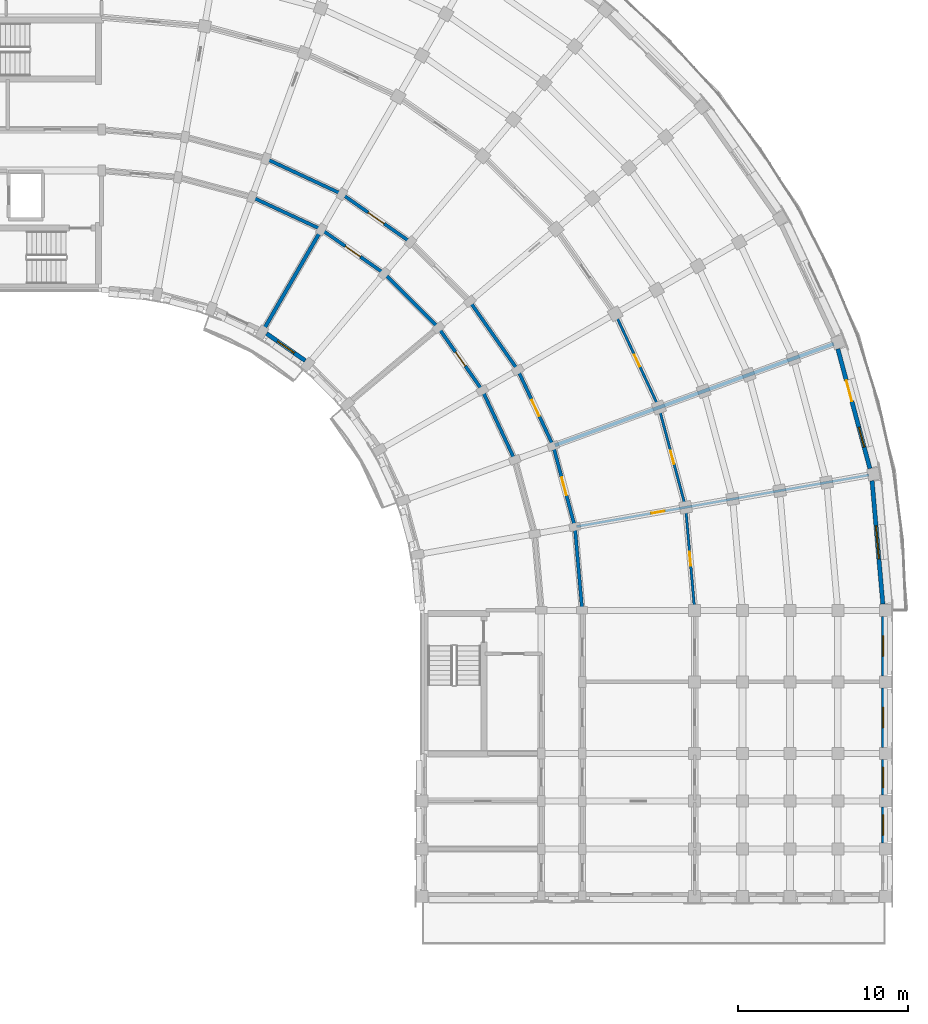
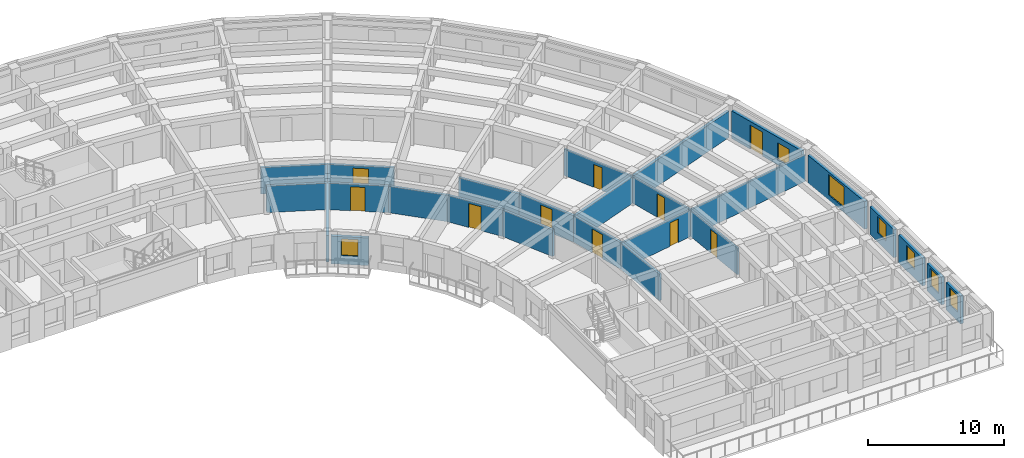
# One storey, part 35 of 54: 24 walls, 10 doors, 7 windows, 17 openings.
"""IFC4 building model written with IfcOpenShell, lengths in metres."""

from ifc_helpers import new_model, si_unit, direction, frame, frame_2d, origin, place, context, subcontext, project, spatial, rectangle, extrude, material, layer, layer_set, type_object, element, fill, save


model = new_model("IFC4")

# Units and contexts
model_context = context("Model", 3, precision=1e-05, world=origin(), true_north=direction((0.0, 1.0)))
body_context = subcontext(model_context, "Body", "Model", "MODEL_VIEW")
ifc_project = project(units=[si_unit("LENGTHUNIT", "METRE"), si_unit("AREAUNIT", "SQUARE_METRE"), si_unit("VOLUMEUNIT", "CUBIC_METRE"), si_unit("PLANEANGLEUNIT", "RADIAN"), si_unit("MASSUNIT", "GRAM", prefix="KILO")], contexts=[model_context])

# Site, building, storey
site_placement = place(None, origin())
site = spatial("IfcSite", under=ifc_project, at=site_placement, CompositionType="ELEMENT")
building_placement = place(site_placement, origin())
building = spatial("IfcBuilding", under=site, at=building_placement, Name="Kiranvali Square Residences", CompositionType="ELEMENT")
storey_placement = place(building_placement, frame((0.0, 0.0, 27.60009765625)))
storey = spatial("IfcBuildingStorey", under=building, at=storey_placement, Name="L08", CompositionType="ELEMENT", Elevation=27.60009765625)

# Walls
ifc_material_1 = material(Name="Autoclaved aerated concrete blockwork masonry", Category="masonry")
ifc_layer_1 = layer(ifc_material_1, 0.199951171875)
ifc_layer_set_1 = layer_set([ifc_layer_1], Name="Autoclaved aerated concrete blockwork masonry")
wall_type_1 = type_object("IfcWallType", Name="WL-COR-200", PredefinedType="STANDARD", material=ifc_layer_set_1)
wall_1_placement = place(storey_placement, frame((128.6240234375, 112.044189453125, 0.0), z_axis=(0.0, 0.0, 1.0), x_axis=(0.906307919131, -0.422617978463, 0.0)))
element("IfcWall", 1, at=wall_1_placement, inside=storey, type_object=wall_type_1, Name="L08 architectural wall WL-L08-B-CCI-2", PredefinedType="STANDARD", context=body_context, shape_type="SweptSolid", body=[
    extrude(rectangle(XDim=4.497314453125, YDim=0.199951171875, at=frame_2d((2.24853515625, 0.0))), origin(), (0.0, 0.0, 1.0), 2.371826171875),
])
wall_2_placement = place(storey_placement, frame((129.445068359375, 114.29931640625, 0.0), z_axis=(0.0, 0.0, 1.0), x_axis=(0.906302381024, -0.422629854778, 0.0)))
element("IfcWall", 2, at=wall_2_placement, inside=storey, type_object=wall_type_1, Name="L08 architectural wall WL-L08-B-CCO-2", PredefinedType="STANDARD", context=body_context, shape_type="SweptSolid", body=[
    extrude(rectangle(XDim=4.915283203125, YDim=0.199951171875, at=frame_2d((2.45751953125, 0.0))), origin(), (0.0, 0.0, 1.0), 2.371826171875),
])

# Wall, opening, door
wall_3_placement = place(storey_placement, frame((132.699951171875, 110.1435546875, 0.0), z_axis=(0.0, 0.0, 1.0), x_axis=(0.819155404658, -0.573571637217, 0.0)))
wall_3 = element("IfcWall", 3, at=wall_3_placement, inside=storey, type_object=wall_type_1, Name="L08 architectural wall WL-L08-B-CCI-3", PredefinedType="STANDARD", context=body_context, shape_type="SweptSolid", body=[
    extrude(rectangle(XDim=4.497314453125, YDim=0.199951171875, at=frame_2d((2.24853515625, 0.0))), origin(), (0.0, 0.0, 1.0), 2.371826171875),
])
opening_1_placement = place(wall_3_placement, frame((1.708740234375, 0.0, 0.0)))
opening_1 = element("IfcOpeningElement", 4, at=opening_1_placement, cuts=wall_3, Name="Opening FD-APT-60C", PredefinedType="OPENING", context=body_context, shape_type="SweptSolid", body=[
    extrude(rectangle(XDim=1.080078125, YDim=2.14990234375, at=frame_2d((0.5400390625, 1.074951171875))), frame((0.0, 0.10986328125, 0.0), z_axis=(0.0, -1.0, 0.0), x_axis=(1.0, 0.0, 0.0)), (0.0, 0.0, 1.0), 0.219970703125),
])
ifc_material_2 = material(Name="Fire-rated acoustic hardwood and mineral-core door assembly", Category="wood")
door_type_1 = type_object("IfcDoorType", Name="DR-APT-1080", OperationType="NOTDEFINED", PredefinedType="DOOR", material=ifc_material_2)
door_1_placement = place(opening_1_placement, frame((1.080078125, 0.0, 0.0), z_axis=(0.0, 0.0, 1.0), x_axis=(-1.0, 0.0, 0.0)))
door_1 = element("IfcDoor", 5, at=door_1_placement, inside=storey, type_object=door_type_1, Name="L08 door DR-L08-1498 (DR-APT-1080)", OperationType="SINGLE_SWING_RIGHT", OverallHeight=2.14990234375, OverallWidth=1.080078125, PredefinedType="DOOR", context=body_context, shape_type="SweptSolid", body=[
    extrude(rectangle(XDim=1.080078125, YDim=2.14990234375, at=frame_2d((0.5400390625, 1.074951171875))), frame((0.0, 0.02490234375, 0.0), z_axis=(0.0, -1.0, 0.0), x_axis=(1.0, 0.0, 0.0)), (0.0, 0.0, 1.0), 0.050048828125),
])
fill(opening_1, door_1)

wall_4_placement = place(storey_placement, frame((133.89990234375, 112.221923828125, 0.0), z_axis=(0.0, 0.0, 1.0), x_axis=(0.819140911474, -0.573592335331, 0.0)))
wall_4 = element("IfcWall", 6, at=wall_4_placement, inside=storey, type_object=wall_type_1, Name="L08 architectural wall WL-L08-B-CCO-3", PredefinedType="STANDARD", context=body_context, shape_type="SweptSolid", body=[
    extrude(rectangle(XDim=4.915771484375, YDim=0.199951171875, at=frame_2d((2.4580078125, 0.0))), origin(), (0.0, 0.0, 1.0), 2.371826171875),
])
opening_2_placement = place(wall_4_placement, frame((1.8876953125, 0.0, 0.0)))
opening_2 = element("IfcOpeningElement", 7, at=opening_2_placement, cuts=wall_4, Name="Opening FD-APT-60D", PredefinedType="OPENING", context=body_context, shape_type="SweptSolid", body=[
    extrude(rectangle(XDim=1.139892578125, YDim=2.14990234375, at=frame_2d((0.56982421875, 1.074951171875))), frame((0.0, 0.10986328125, 0.0), z_axis=(0.0, -1.0, 0.0), x_axis=(1.0, 0.0, 0.0)), (0.0, 0.0, 1.0), 0.219970703125),
])
door_type_2 = type_object("IfcDoorType", Name="DR-APT-1140", OperationType="NOTDEFINED", PredefinedType="DOOR", material=ifc_material_2)
door_2_placement = place(opening_2_placement, origin())
door_2 = element("IfcDoor", 8, at=door_2_placement, inside=storey, type_object=door_type_2, Name="L08 door DR-L08-1487 (DR-APT-1140)", OperationType="SINGLE_SWING_LEFT", OverallHeight=2.14990234375, OverallWidth=1.139892578125, PredefinedType="DOOR", context=body_context, shape_type="SweptSolid", body=[
    extrude(rectangle(XDim=1.139892578125, YDim=2.14990234375, at=frame_2d((0.56982421875, 1.074951171875))), frame((0.0, 0.02490234375, 0.0), z_axis=(0.0, -1.0, 0.0), x_axis=(1.0, 0.0, 0.0)), (0.0, 0.0, 1.0), 0.050048828125),
])
fill(opening_2, door_2)

# Wall
wall_5_placement = place(storey_placement, frame((136.384033203125, 107.56396484375, 0.0), z_axis=(0.0, 0.0, 1.0), x_axis=(0.707106781187, -0.707106781187, 0.0)))
element("IfcWall", 9, at=wall_5_placement, inside=storey, type_object=wall_type_1, Name="L08 architectural wall WL-L08-B-CCI-4", PredefinedType="STANDARD", context=body_context, shape_type="SweptSolid", body=[
    extrude(rectangle(XDim=4.4970703125, YDim=0.199951171875, at=frame_2d((2.24853515625, 0.0))), origin(), (0.0, 0.0, 1.0), 2.371826171875),
])

# Wall, opening, door
wall_6_placement = place(storey_placement, frame((139.56396484375, 104.384033203125, 0.0), z_axis=(0.0, 0.0, 1.0), x_axis=(0.573571637217, -0.819155404658, 0.0)))
wall_6 = element("IfcWall", 10, at=wall_6_placement, inside=storey, type_object=wall_type_1, Name="L08 architectural wall WL-L08-B-CCI-5", PredefinedType="STANDARD", context=body_context, shape_type="SweptSolid", body=[
    extrude(rectangle(XDim=4.497314453125, YDim=0.199951171875, at=frame_2d((2.24853515625, 0.0))), origin(), (0.0, 0.0, 1.0), 2.371826171875),
])
opening_3_placement = place(wall_6_placement, frame((1.74853515625, 0.0, 0.0)))
opening_3 = element("IfcOpeningElement", 11, at=opening_3_placement, cuts=wall_6, Name="Opening FD-APT-60", PredefinedType="OPENING", context=body_context, shape_type="SweptSolid", body=[
    extrude(rectangle(XDim=1.0, YDim=2.14990234375, at=frame_2d((0.5, 1.074951171875))), frame((0.0, 0.10986328125, 0.0), z_axis=(0.0, -1.0, 0.0), x_axis=(1.0, 0.0, 0.0)), (0.0, 0.0, 1.0), 0.219970703125),
])
door_type_3 = type_object("IfcDoorType", Name="DR-APT-1000", OperationType="NOTDEFINED", PredefinedType="DOOR", material=ifc_material_2)
door_3_placement = place(opening_3_placement, origin())
door_3 = element("IfcDoor", 12, at=door_3_placement, inside=storey, type_object=door_type_3, Name="L08 door DR-L08-1499 (DR-APT-1000)", OperationType="SINGLE_SWING_LEFT", OverallHeight=2.14990234375, OverallWidth=1.0, PredefinedType="DOOR", context=body_context, shape_type="SweptSolid", body=[
    extrude(rectangle(XDim=1.0, YDim=2.14990234375, at=frame_2d((0.5, 1.074951171875))), frame((0.0, 0.02490234375, 0.0), z_axis=(0.0, -1.0, 0.0), x_axis=(1.0, 0.0, 0.0)), (0.0, 0.0, 1.0), 0.050048828125),
])
fill(opening_3, door_3)

# Walls
wall_7_placement = place(storey_placement, frame((141.40234375, 105.926513671875, 0.0), z_axis=(0.0, 0.0, 1.0), x_axis=(0.573592335331, -0.819140911474, 0.0)))
element("IfcWall", 13, at=wall_7_placement, inside=storey, type_object=wall_type_1, Name="L08 architectural wall WL-L08-B-CCO-5", PredefinedType="STANDARD", context=body_context, shape_type="SweptSolid", body=[
    extrude(rectangle(XDim=4.915771484375, YDim=0.199951171875, at=frame_2d((2.4580078125, 0.0))), origin(), (0.0, 0.0, 1.0), 2.371826171875),
])
wall_8_placement = place(storey_placement, frame((142.1435546875, 100.699951171875, 0.0), z_axis=(0.0, 0.0, 1.0), x_axis=(0.422617978463, -0.906307919131, 0.0)))
element("IfcWall", 14, at=wall_8_placement, inside=storey, type_object=wall_type_1, Name="L08 architectural wall WL-L08-B-CCI-6", PredefinedType="STANDARD", context=body_context, shape_type="SweptSolid", body=[
    extrude(rectangle(XDim=4.497314453125, YDim=0.199951171875, at=frame_2d((2.24853515625, 0.0))), origin(), (0.0, 0.0, 1.0), 2.371826171875),
])

# Wall, opening, door
wall_9_placement = place(storey_placement, frame((144.221923828125, 101.89990234375, 0.0), z_axis=(0.0, 0.0, 1.0), x_axis=(0.422629854778, -0.906302381024, 0.0)))
wall_9 = element("IfcWall", 15, at=wall_9_placement, inside=storey, type_object=wall_type_1, Name="L08 architectural wall WL-L08-B-CCO-6", PredefinedType="STANDARD", context=body_context, shape_type="SweptSolid", body=[
    extrude(rectangle(XDim=4.915283203125, YDim=0.199951171875, at=frame_2d((2.45751953125, 0.0))), origin(), (0.0, 0.0, 1.0), 2.371826171875),
])
opening_4_placement = place(wall_9_placement, frame((1.937744140625, 0.0, 0.0)))
opening_4 = element("IfcOpeningElement", 16, at=opening_4_placement, cuts=wall_9, Name="Opening FD-APT-60B", PredefinedType="OPENING", context=body_context, shape_type="SweptSolid", body=[
    extrude(rectangle(XDim=1.0400390625, YDim=2.14990234375, at=frame_2d((0.52001953125, 1.074951171875))), frame((0.0, 0.10986328125, 0.0), z_axis=(0.0, -1.0, 0.0), x_axis=(1.0, 0.0, 0.0)), (0.0, 0.0, 1.0), 0.219970703125),
])
door_type_4 = type_object("IfcDoorType", Name="DR-APT-1040", OperationType="NOTDEFINED", PredefinedType="DOOR", material=ifc_material_2)
door_4_placement = place(opening_4_placement, frame((1.0400390625, 0.0, 0.0), z_axis=(0.0, 0.0, 1.0), x_axis=(-1.0, 0.0, 0.0)))
door_4 = element("IfcDoor", 17, at=door_4_placement, inside=storey, type_object=door_type_4, Name="L08 door DR-L08-1492 (DR-APT-1040)", OperationType="SINGLE_SWING_RIGHT", OverallHeight=2.14990234375, OverallWidth=1.0400390625, PredefinedType="DOOR", context=body_context, shape_type="SweptSolid", body=[
    extrude(rectangle(XDim=1.0400390625, YDim=2.14990234375, at=frame_2d((0.52001953125, 1.074951171875))), frame((0.0, 0.02490234375, 0.0), z_axis=(0.0, -1.0, 0.0), x_axis=(1.0, 0.0, 0.0)), (0.0, 0.0, 1.0), 0.050048828125),
])
fill(opening_4, door_4)

wall_10_placement = place(storey_placement, frame((146.29931640625, 97.445068359375, 0.0), z_axis=(0.0, 0.0, 1.0), x_axis=(0.258803112091, -0.965930095386, 0.0)))
wall_10 = element("IfcWall", 18, at=wall_10_placement, inside=storey, type_object=wall_type_1, Name="L08 architectural wall WL-L08-B-CCO-7", PredefinedType="STANDARD", context=body_context, shape_type="SweptSolid", body=[
    extrude(rectangle(XDim=4.915771484375, YDim=0.199951171875, at=frame_2d((2.4580078125, 0.0))), origin(), (0.0, 0.0, 1.0), 2.371826171875),
])
opening_5_placement = place(wall_10_placement, frame((1.917724609375, 0.0, 0.0)))
opening_5 = element("IfcOpeningElement", 19, at=opening_5_placement, cuts=wall_10, Name="Opening FD-APT-60C", PredefinedType="OPENING", context=body_context, shape_type="SweptSolid", body=[
    extrude(rectangle(XDim=1.080078125, YDim=2.14990234375, at=frame_2d((0.5400390625, 1.074951171875))), frame((0.0, 0.10986328125, 0.0), z_axis=(0.0, -1.0, 0.0), x_axis=(1.0, 0.0, 0.0)), (0.0, 0.0, 1.0), 0.219970703125),
])
door_5_placement = place(opening_5_placement, frame((1.080078125, 0.0, 0.0), z_axis=(0.0, 0.0, 1.0), x_axis=(-1.0, 0.0, 0.0)))
door_5 = element("IfcDoor", 20, at=door_5_placement, inside=storey, type_object=door_type_1, Name="L08 door DR-L08-1494 (DR-APT-1080)", OperationType="SINGLE_SWING_RIGHT", OverallHeight=2.14990234375, OverallWidth=1.080078125, PredefinedType="DOOR", context=body_context, shape_type="SweptSolid", body=[
    extrude(rectangle(XDim=1.080078125, YDim=2.14990234375, at=frame_2d((0.5400390625, 1.074951171875))), frame((0.0, 0.02490234375, 0.0), z_axis=(0.0, -1.0, 0.0), x_axis=(1.0, 0.0, 0.0)), (0.0, 0.0, 1.0), 0.050048828125),
])
fill(opening_5, door_5)

# Walls
wall_11_placement = place(storey_placement, frame((147.571533203125, 92.69677734375, 0.0), z_axis=(0.0, 0.0, 1.0), x_axis=(0.087167566415, -0.996193663584, 0.0)))
element("IfcWall", 21, at=wall_11_placement, inside=storey, type_object=wall_type_1, Name="L08 architectural wall WL-L08-B-CCO-8", PredefinedType="STANDARD", context=body_context, shape_type="SweptSolid", body=[
    extrude(rectangle(XDim=4.91552734375, YDim=0.199951171875, at=frame_2d((2.457763671875, 0.0))), origin(), (0.0, 0.0, 1.0), 2.371826171875),
])
ifc_layer_2 = layer(ifc_material_1, 0.219970703125)
ifc_layer_set_2 = layer_set([ifc_layer_2], Name="Autoclaved aerated concrete blockwork masonry")
wall_type_2 = type_object("IfcWallType", Name="WL-DEM-220", PredefinedType="STANDARD", material=ifc_layer_set_2)
wall_12_placement = place(storey_placement, frame((129.300048828125, 104.25439453125, 0.0), z_axis=(0.0, 0.0, 1.0), x_axis=(0.499997969693, 0.866026575979, 0.0)))
element("IfcWall", 22, at=wall_12_placement, inside=storey, type_object=wall_type_2, Name="L08 architectural wall WL-L08-B-RADI-3", PredefinedType="STANDARD", context=body_context, shape_type="SweptSolid", body=[
    extrude(rectangle(XDim=6.75, YDim=0.219970703125, at=frame_2d((3.375, 0.0))), origin(), (0.0, 0.0, 1.0), 2.371826171875),
])
wall_13_placement = place(storey_placement, frame((146.393310546875, 97.479248046875, 0.0), z_axis=(0.0, 0.0, 1.0), x_axis=(0.939691901159, 0.342022120477, 0.0)))
element("IfcWall", 23, at=wall_13_placement, inside=storey, type_object=wall_type_2, Name="L08 architectural wall WL-L08-B-RADO-7", PredefinedType="STANDARD", context=body_context, shape_type="SweptSolid", body=[
    extrude(rectangle(XDim=17.419921875, YDim=0.219970703125, at=frame_2d((8.7099609375, 0.0))), origin(), (0.0, 0.0, 1.0), 2.371826171875),
])

# Wall, openings, door, window
ifc_material_3 = material(Name="Breathable lime-rendered clay brick masonry", Category="masonry")
ifc_layer_3 = layer(ifc_material_3, 0.25)
ifc_layer_set_3 = layer_set([ifc_layer_3], Name="Breathable lime-rendered clay brick masonry")
wall_type_3 = type_object("IfcWallType", Name="WL-EXT-250", PredefinedType="STANDARD", material=ifc_layer_set_3)
wall_14_placement = place(storey_placement, frame((163.00244140625, 103.137451171875, 0.0), z_axis=(0.0, 0.0, 1.0), x_axis=(0.258802140196, -0.965930355787, 0.0)))
wall_14 = element("IfcWall", 24, at=wall_14_placement, inside=storey, type_object=wall_type_3, Name="L08 exterior wall B-L08-CRV-07", PredefinedType="STANDARD", context=body_context, shape_type="SweptSolid", body=[
    extrude(rectangle(XDim=7.2666015625, YDim=0.25, at=frame_2d((3.63330078125, 0.0))), origin(), (0.0, 0.0, 1.0), 2.47998046875),
])
opening_6_placement = place(wall_14_placement, frame((4.765625, 0.0, 0.47998046875)))
opening_6 = element("IfcOpeningElement", 25, at=opening_6_placement, cuts=wall_14, Name="Opening W-06", PredefinedType="OPENING", context=body_context, shape_type="SweptSolid", body=[
    extrude(rectangle(XDim=1.199951171875, YDim=1.5, at=frame_2d((0.60009765625, 0.75))), frame((0.0, 0.135009765625, 0.0), z_axis=(0.0, -1.0, 0.0), x_axis=(1.0, 0.0, 0.0)), (0.0, 0.0, 1.0), 0.27001953125),
])
opening_7_placement = place(wall_14_placement, frame((1.913330078125, 0.0, 0.0)))
opening_7 = element("IfcOpeningElement", 26, at=opening_7_placement, cuts=wall_14, Name="Opening ED-BAL-2", PredefinedType="OPENING", context=body_context, shape_type="SweptSolid", body=[
    extrude(rectangle(XDim=1.260009765625, YDim=2.14990234375, at=frame_2d((0.6298828125, 1.074951171875))), frame((0.0, 0.135009765625, 0.0), z_axis=(0.0, -1.0, 0.0), x_axis=(1.0, 0.0, 0.0)), (0.0, 0.0, 1.0), 0.27001953125),
])
ifc_material_4 = material(Name="Anodised bronze aluminium framing", Category="aluminium")
door_type_5 = type_object("IfcDoorType", Name="DR-BAL-1260", OperationType="NOTDEFINED", PredefinedType="DOOR", material=ifc_material_4)
door_6_placement = place(opening_7_placement, origin())
door_6 = element("IfcDoor", 27, at=door_6_placement, inside=storey, type_object=door_type_5, Name="L08 balcony terrace door", OperationType="SINGLE_SWING_LEFT", OverallHeight=2.14990234375, OverallWidth=1.260009765625, PredefinedType="DOOR", context=body_context, shape_type="SweptSolid", body=[
    extrude(rectangle(XDim=1.260009765625, YDim=2.14990234375, at=frame_2d((0.6298828125, 1.074951171875))), frame((0.0, 0.02490234375, 0.0), z_axis=(0.0, -1.0, 0.0), x_axis=(1.0, 0.0, 0.0)), (0.0, 0.0, 1.0), 0.050048828125),
])
fill(opening_7, door_6)
ifc_material_5 = material(Name="Solar-control low-e double glazing", Category="glass")
window_type_1 = type_object("IfcWindowType", Name="WIN-RES-1200x1500", PartitioningType="SINGLE_PANEL", PredefinedType="WINDOW", material=ifc_material_5)
window_1_placement = place(opening_6_placement, origin())
window_1 = element("IfcWindow", 28, at=window_1_placement, inside=storey, type_object=window_type_1, Name="L08 recessed window B-L08-CRV-07", OverallHeight=1.5, OverallWidth=1.199951171875, PartitioningType="SINGLE_PANEL", PredefinedType="WINDOW", context=body_context, shape_type="SweptSolid", body=[
    extrude(rectangle(XDim=1.199951171875, YDim=1.5, at=frame_2d((0.60009765625, 0.75))), frame((0.0, 0.030029296875, 0.0), z_axis=(0.0, -1.0, 0.0), x_axis=(1.0, 0.0, 0.0)), (0.0, 0.0, 1.0), 0.06005859375),
])
fill(opening_6, window_1)

# Wall, opening, window
wall_15_placement = place(storey_placement, frame((165.00927734375, 95.402587890625, 0.0), z_axis=(0.0, 0.0, 1.0), x_axis=(0.08718487158, -0.99619214922, 0.0)))
wall_15 = element("IfcWall", 29, at=wall_15_placement, inside=storey, type_object=wall_type_3, Name="L08 exterior wall B-L08-CRV-08", PredefinedType="STANDARD", context=body_context, shape_type="SweptSolid", body=[
    extrude(rectangle(XDim=7.2666015625, YDim=0.25, at=frame_2d((3.63330078125, 0.0))), origin(), (0.0, 0.0, 1.0), 2.47998046875),
])
opening_8_placement = place(wall_15_placement, frame((2.658447265625, 0.0, 0.429931640625)))
opening_8 = element("IfcOpeningElement", 30, at=opening_8_placement, cuts=wall_15, Name="Opening W-12", PredefinedType="OPENING", context=body_context, shape_type="SweptSolid", body=[
    extrude(rectangle(XDim=1.949951171875, YDim=1.85009765625, at=frame_2d((0.97509765625, 0.925048828125))), frame((0.0, 0.135009765625, 0.0), z_axis=(0.0, -1.0, 0.0), x_axis=(1.0, 0.0, 0.0)), (0.0, 0.0, 1.0), 0.27001953125),
])
window_type_2 = type_object("IfcWindowType", Name="WIN-RES-1950x1850", PartitioningType="DOUBLE_PANEL_VERTICAL", PredefinedType="WINDOW", material=ifc_material_5)
window_2_placement = place(opening_8_placement, origin())
window_2 = element("IfcWindow", 31, at=window_2_placement, inside=storey, type_object=window_type_2, Name="L08 recessed window B-L08-CRV-08", OverallHeight=1.85009765625, OverallWidth=1.949951171875, PartitioningType="DOUBLE_PANEL_VERTICAL", PredefinedType="WINDOW", context=body_context, shape_type="SweptSolid", body=[
    extrude(rectangle(XDim=1.949951171875, YDim=1.85009765625, at=frame_2d((0.97509765625, 0.925048828125))), frame((0.0, 0.030029296875, 0.0), z_axis=(0.0, -1.0, 0.0), x_axis=(1.0, 0.0, 0.0)), (0.0, 0.0, 1.0), 0.06005859375),
])
fill(opening_8, window_2)

wall_16_placement = place(storey_placement, frame((129.4794921875, 104.038330078125, 0.0), z_axis=(0.0, 0.0, 1.0), x_axis=(0.819111815273, -0.573633885053, 0.0)))
wall_16 = element("IfcWall", 32, at=wall_16_placement, inside=storey, type_object=wall_type_3, Name="L08 exterior wall B-L08-GDN-03", PredefinedType="STANDARD", context=body_context, shape_type="SweptSolid", body=[
    extrude(rectangle(XDim=2.769775390625, YDim=0.25, at=frame_2d((1.384765625, 0.0))), origin(), (0.0, 0.0, 1.0), 2.471923828125),
])
opening_9_placement = place(wall_16_placement, frame((0.784912109375, 0.0, 0.77197265625)))
opening_9 = element("IfcOpeningElement", 33, at=opening_9_placement, cuts=wall_16, Name="Opening W-06", PredefinedType="OPENING", context=body_context, shape_type="SweptSolid", body=[
    extrude(rectangle(XDim=1.199951171875, YDim=1.5, at=frame_2d((0.60009765625, 0.75))), frame((0.0, 0.135009765625, 0.0), z_axis=(0.0, -1.0, 0.0), x_axis=(1.0, 0.0, 0.0)), (0.0, 0.0, 1.0), 0.27001953125),
])
window_3_placement = place(opening_9_placement, origin())
window_3 = element("IfcWindow", 34, at=window_3_placement, inside=storey, type_object=window_type_1, Name="L08 recessed window B-L08-GDN-03", OverallHeight=1.5, OverallWidth=1.199951171875, PartitioningType="SINGLE_PANEL", PredefinedType="WINDOW", context=body_context, shape_type="SweptSolid", body=[
    extrude(rectangle(XDim=1.199951171875, YDim=1.5, at=frame_2d((0.60009765625, 0.75))), frame((0.0, 0.030029296875, 0.0), z_axis=(0.0, -1.0, 0.0), x_axis=(1.0, 0.0, 0.0)), (0.0, 0.0, 1.0), 0.06005859375),
])
fill(opening_9, window_3)

wall_17_placement = place(storey_placement, frame((165.675048828125, 87.446533203125, 0.0), z_axis=(0.0, 0.0, 1.0), x_axis=(0.0, -1.0, 0.0)))
wall_17 = element("IfcWall", 35, at=wall_17_placement, inside=storey, type_object=wall_type_3, Name="L08 exterior wall B-L08-A2O-0", PredefinedType="STANDARD", context=body_context, shape_type="SweptSolid", body=[
    extrude(rectangle(XDim=3.492919921875, YDim=0.25, at=frame_2d((1.74658203125, 0.0))), origin(), (0.0, 0.0, 1.0), 2.47998046875),
])
opening_10_placement = place(wall_17_placement, frame((1.146484375, 0.0, 0.780029296875)))
opening_10 = element("IfcOpeningElement", 36, at=opening_10_placement, cuts=wall_17, Name="Opening W-06", PredefinedType="OPENING", context=body_context, shape_type="SweptSolid", body=[
    extrude(rectangle(XDim=1.199951171875, YDim=1.5, at=frame_2d((0.60009765625, 0.75))), frame((0.0, 0.135009765625, 0.0), z_axis=(0.0, -1.0, 0.0), x_axis=(1.0, 0.0, 0.0)), (0.0, 0.0, 1.0), 0.27001953125),
])
window_4_placement = place(opening_10_placement, origin())
window_4 = element("IfcWindow", 37, at=window_4_placement, inside=storey, type_object=window_type_1, Name="L08 recessed window B-L08-A2O-0", OverallHeight=1.5, OverallWidth=1.199951171875, PartitioningType="SINGLE_PANEL", PredefinedType="WINDOW", context=body_context, shape_type="SweptSolid", body=[
    extrude(rectangle(XDim=1.199951171875, YDim=1.5, at=frame_2d((0.60009765625, 0.75))), frame((0.0, 0.030029296875, 0.0), z_axis=(0.0, -1.0, 0.0), x_axis=(1.0, 0.0, 0.0)), (0.0, 0.0, 1.0), 0.06005859375),
])
fill(opening_10, window_4)

wall_18_placement = place(storey_placement, frame((165.675048828125, 83.24658203125, 0.0), z_axis=(0.0, 0.0, 1.0), x_axis=(0.0, -1.0, 0.0)))
wall_18 = element("IfcWall", 38, at=wall_18_placement, inside=storey, type_object=wall_type_3, Name="L08 exterior wall B-L08-A2O-1", PredefinedType="STANDARD", context=body_context, shape_type="SweptSolid", body=[
    extrude(rectangle(XDim=3.4931640625, YDim=0.25, at=frame_2d((1.74658203125, 0.0))), origin(), (0.0, 0.0, 1.0), 2.47998046875),
])
opening_11_placement = place(wall_18_placement, frame((1.146484375, 0.0, 0.780029296875)))
opening_11 = element("IfcOpeningElement", 39, at=opening_11_placement, cuts=wall_18, Name="Opening W-06", PredefinedType="OPENING", context=body_context, shape_type="SweptSolid", body=[
    extrude(rectangle(XDim=1.199951171875, YDim=1.5, at=frame_2d((0.60009765625, 0.75))), frame((0.0, 0.135009765625, 0.0), z_axis=(0.0, -1.0, 0.0), x_axis=(1.0, 0.0, 0.0)), (0.0, 0.0, 1.0), 0.27001953125),
])
window_5_placement = place(opening_11_placement, origin())
window_5 = element("IfcWindow", 40, at=window_5_placement, inside=storey, type_object=window_type_1, Name="L08 recessed window B-L08-A2O-1", OverallHeight=1.5, OverallWidth=1.199951171875, PartitioningType="SINGLE_PANEL", PredefinedType="WINDOW", context=body_context, shape_type="SweptSolid", body=[
    extrude(rectangle(XDim=1.199951171875, YDim=1.5, at=frame_2d((0.60009765625, 0.75))), frame((0.0, 0.030029296875, 0.0), z_axis=(0.0, -1.0, 0.0), x_axis=(1.0, 0.0, 0.0)), (0.0, 0.0, 1.0), 0.06005859375),
])
fill(opening_11, window_5)

wall_19_placement = place(storey_placement, frame((165.675048828125, 79.04638671875, 0.0), z_axis=(0.0, 0.0, 1.0), x_axis=(0.0, -1.0, 0.0)))
wall_19 = element("IfcWall", 41, at=wall_19_placement, inside=storey, type_object=wall_type_3, Name="L08 exterior wall B-L08-A2O-2", PredefinedType="STANDARD", context=body_context, shape_type="SweptSolid", body=[
    extrude(rectangle(XDim=2.0927734375, YDim=0.25, at=frame_2d((1.04638671875, 0.0))), origin(), (0.0, 0.0, 1.0), 2.47998046875),
])
opening_12_placement = place(wall_19_placement, frame((0.446533203125, 0.0, 0.780029296875)))
opening_12 = element("IfcOpeningElement", 42, at=opening_12_placement, cuts=wall_19, Name="Opening W-06", PredefinedType="OPENING", context=body_context, shape_type="SweptSolid", body=[
    extrude(rectangle(XDim=1.199951171875, YDim=1.5, at=frame_2d((0.60009765625, 0.75))), frame((0.0, 0.135009765625, 0.0), z_axis=(0.0, -1.0, 0.0), x_axis=(1.0, 0.0, 0.0)), (0.0, 0.0, 1.0), 0.27001953125),
])
window_6_placement = place(opening_12_placement, origin())
window_6 = element("IfcWindow", 43, at=window_6_placement, inside=storey, type_object=window_type_1, Name="L08 recessed window B-L08-A2O-2", OverallHeight=1.5, OverallWidth=1.199951171875, PartitioningType="SINGLE_PANEL", PredefinedType="WINDOW", context=body_context, shape_type="SweptSolid", body=[
    extrude(rectangle(XDim=1.199951171875, YDim=1.5, at=frame_2d((0.60009765625, 0.75))), frame((0.0, 0.030029296875, 0.0), z_axis=(0.0, -1.0, 0.0), x_axis=(1.0, 0.0, 0.0)), (0.0, 0.0, 1.0), 0.06005859375),
])
fill(opening_12, window_6)

wall_20_placement = place(storey_placement, frame((165.675048828125, 76.24658203125, 0.0), z_axis=(0.0, 0.0, 1.0), x_axis=(0.0, -1.0, 0.0)))
wall_20 = element("IfcWall", 44, at=wall_20_placement, inside=storey, type_object=wall_type_3, Name="L08 exterior wall B-L08-A2O-3", PredefinedType="STANDARD", context=body_context, shape_type="SweptSolid", body=[
    extrude(rectangle(XDim=2.093017578125, YDim=0.25, at=frame_2d((1.04638671875, 0.0))), origin(), (0.0, 0.0, 1.0), 2.47998046875),
])
opening_13_placement = place(wall_20_placement, frame((0.446533203125, 0.0, 0.780029296875)))
opening_13 = element("IfcOpeningElement", 45, at=opening_13_placement, cuts=wall_20, Name="Opening W-06", PredefinedType="OPENING", context=body_context, shape_type="SweptSolid", body=[
    extrude(rectangle(XDim=1.199951171875, YDim=1.5, at=frame_2d((0.60009765625, 0.75))), frame((0.0, 0.135009765625, 0.0), z_axis=(0.0, -1.0, 0.0), x_axis=(1.0, 0.0, 0.0)), (0.0, 0.0, 1.0), 0.27001953125),
])
window_7_placement = place(opening_13_placement, origin())
window_7 = element("IfcWindow", 46, at=window_7_placement, inside=storey, type_object=window_type_1, Name="L08 recessed window B-L08-A2O-3", OverallHeight=1.5, OverallWidth=1.199951171875, PartitioningType="SINGLE_PANEL", PredefinedType="WINDOW", context=body_context, shape_type="SweptSolid", body=[
    extrude(rectangle(XDim=1.199951171875, YDim=1.5, at=frame_2d((0.60009765625, 0.75))), frame((0.0, 0.030029296875, 0.0), z_axis=(0.0, -1.0, 0.0), x_axis=(1.0, 0.0, 0.0)), (0.0, 0.0, 1.0), 0.06005859375),
])
fill(opening_13, window_7)

# Wall, opening, door
ifc_material_6 = material(Name="Acoustic gypsum board drylined partition", Category="gypsum")
ifc_layer_4 = layer(ifc_material_6, 0.14990234375)
ifc_layer_set_4 = layer_set([ifc_layer_4], Name="Acoustic gypsum board drylined partition")
wall_type_4 = type_object("IfcWallType", Name="WL-PRT-150", PredefinedType="PARTITIONING", material=ifc_layer_set_4)
wall_21_placement = place(storey_placement, frame((147.670166015625, 92.71435546875, 0.0), z_axis=(0.0, 0.0, 1.0), x_axis=(0.984808098809, 0.173646216546, 0.0)))
wall_21 = element("IfcWall", 47, at=wall_21_placement, inside=storey, type_object=wall_type_4, Name="L08 architectural wall WL-L08-B-RADO-8", PredefinedType="PARTITIONING", context=body_context, shape_type="SweptSolid", body=[
    extrude(rectangle(XDim=17.419921875, YDim=0.14990234375, at=frame_2d((8.7099609375, 0.0))), origin(), (0.0, 0.0, 1.0), 2.371826171875),
])
opening_14_placement = place(wall_21_placement, frame((4.44970703125, 0.0, 0.0)))
opening_14 = element("IfcOpeningElement", 48, at=opening_14_placement, cuts=wall_21, Name="Opening ID-WET", PredefinedType="OPENING", context=body_context, shape_type="SweptSolid", body=[
    extrude(rectangle(XDim=0.800048828125, YDim=2.10009765625, at=frame_2d((0.39990234375, 1.050048828125))), frame((0.0, 0.0849609375, 0.0), z_axis=(0.0, -1.0, 0.0), x_axis=(1.0, 0.0, 0.0)), (0.0, 0.0, 1.0), 0.169921875),
])
ifc_material_7 = material(Name="Solid seasoned teak hardwood joinery", Category="wood")
door_type_6 = type_object("IfcDoorType", Name="DR-WET-800", OperationType="NOTDEFINED", PredefinedType="DOOR", material=ifc_material_7)
door_7_placement = place(opening_14_placement, frame((0.800048828125, 0.0, 0.0), z_axis=(0.0, 0.0, 1.0), x_axis=(-1.0, 0.0, 0.0)))
door_7 = element("IfcDoor", 49, at=door_7_placement, inside=storey, type_object=door_type_6, Name="L08 door DR-L08-1482 (DR-WET-800)", OperationType="SINGLE_SWING_RIGHT", OverallHeight=2.10009765625, OverallWidth=0.800048828125, PredefinedType="DOOR", context=body_context, shape_type="SweptSolid", body=[
    extrude(rectangle(XDim=0.800048828125, YDim=2.10009765625, at=frame_2d((0.39990234375, 1.050048828125))), frame((0.0, 0.02490234375, 0.0), z_axis=(0.0, -1.0, 0.0), x_axis=(1.0, 0.0, 0.0)), (0.0, 0.0, 1.0), 0.050048828125),
])
fill(opening_14, door_7)

ifc_layer_5 = layer(ifc_material_1, 0.14990234375)
ifc_layer_set_5 = layer_set([ifc_layer_5], Name="Autoclaved aerated concrete blockwork masonry")
wall_type_5 = type_object("IfcWallType", Name="WL-WET-150", PredefinedType="PLUMBINGWALL", material=ifc_layer_set_5)
wall_22_placement = place(storey_placement, frame((149.937744140625, 105.199951171875, 0.0), z_axis=(0.0, 0.0, 1.0), x_axis=(0.42260781991, -0.906312656069, 0.0)))
wall_22 = element("IfcWall", 50, at=wall_22_placement, inside=storey, type_object=wall_type_5, Name="L08 architectural wall WL-L08-B-CWET-6", PredefinedType="PLUMBINGWALL", context=body_context, shape_type="SweptSolid", body=[
    extrude(rectangle(XDim=6.06591796875, YDim=0.14990234375, at=frame_2d((3.032958984375, 0.0))), origin(), (0.0, 0.0, 1.0), 2.371826171875),
])
opening_15_placement = place(wall_22_placement, frame((2.653076171875, 0.0, 0.0)))
opening_15 = element("IfcOpeningElement", 51, at=opening_15_placement, cuts=wall_22, Name="Opening ID-WET0", PredefinedType="OPENING", context=body_context, shape_type="SweptSolid", body=[
    extrude(rectangle(XDim=0.760009765625, YDim=2.050048828125, at=frame_2d((0.3798828125, 1.02490234375))), frame((0.0, 0.0849609375, 0.0), z_axis=(0.0, -1.0, 0.0), x_axis=(1.0, 0.0, 0.0)), (0.0, 0.0, 1.0), 0.169921875),
])
door_type_7 = type_object("IfcDoorType", Name="DR-WET-760", OperationType="NOTDEFINED", PredefinedType="DOOR", material=ifc_material_7)
door_8_placement = place(opening_15_placement, origin())
door_8 = element("IfcDoor", 52, at=door_8_placement, inside=storey, type_object=door_type_7, Name="L08 door DR-L08-1493 (DR-WET-760)", OperationType="SINGLE_SWING_LEFT", OverallHeight=2.050048828125, OverallWidth=0.760009765625, PredefinedType="DOOR", context=body_context, shape_type="SweptSolid", body=[
    extrude(rectangle(XDim=0.760009765625, YDim=2.050048828125, at=frame_2d((0.3798828125, 1.02490234375))), frame((0.0, 0.02490234375, 0.0), z_axis=(0.0, -1.0, 0.0), x_axis=(1.0, 0.0, 0.0)), (0.0, 0.0, 1.0), 0.050048828125),
])
fill(opening_15, door_8)

wall_23_placement = place(storey_placement, frame((152.501220703125, 99.702392578125, 0.0), z_axis=(0.0, 0.0, 1.0), x_axis=(0.258827283048, -0.965923618901, 0.0)))
wall_23 = element("IfcWall", 53, at=wall_23_placement, inside=storey, type_object=wall_type_5, Name="L08 architectural wall WL-L08-B-CWET-7", PredefinedType="PLUMBINGWALL", context=body_context, shape_type="SweptSolid", body=[
    extrude(rectangle(XDim=6.066162109375, YDim=0.14990234375, at=frame_2d((3.033203125, 0.0))), origin(), (0.0, 0.0, 1.0), 2.371826171875),
])
opening_16_placement = place(wall_23_placement, frame((2.633056640625, 0.0, 0.0)))
opening_16 = element("IfcOpeningElement", 54, at=opening_16_placement, cuts=wall_23, Name="Opening ID-WET", PredefinedType="OPENING", context=body_context, shape_type="SweptSolid", body=[
    extrude(rectangle(XDim=0.800048828125, YDim=2.10009765625, at=frame_2d((0.39990234375, 1.050048828125))), frame((0.0, 0.0849609375, 0.0), z_axis=(0.0, -1.0, 0.0), x_axis=(1.0, 0.0, 0.0)), (0.0, 0.0, 1.0), 0.169921875),
])
door_9_placement = place(opening_16_placement, origin())
door_9 = element("IfcDoor", 55, at=door_9_placement, inside=storey, type_object=door_type_6, Name="L08 door DR-L08-1495 (DR-WET-800)", OperationType="SINGLE_SWING_LEFT", OverallHeight=2.10009765625, OverallWidth=0.800048828125, PredefinedType="DOOR", context=body_context, shape_type="SweptSolid", body=[
    extrude(rectangle(XDim=0.800048828125, YDim=2.10009765625, at=frame_2d((0.39990234375, 1.050048828125))), frame((0.0, 0.02490234375, 0.0), z_axis=(0.0, -1.0, 0.0), x_axis=(1.0, 0.0, 0.0)), (0.0, 0.0, 1.0), 0.050048828125),
])
fill(opening_16, door_9)

wall_24_placement = place(storey_placement, frame((154.0712890625, 93.843017578125, 0.0), z_axis=(0.0, 0.0, 1.0), x_axis=(0.087174938512, -0.996193018494, 0.0)))
wall_24 = element("IfcWall", 56, at=wall_24_placement, inside=storey, type_object=wall_type_5, Name="L08 architectural wall WL-L08-B-CWET-8", PredefinedType="PLUMBINGWALL", context=body_context, shape_type="SweptSolid", body=[
    extrude(rectangle(XDim=6.066162109375, YDim=0.14990234375, at=frame_2d((3.033203125, 0.0))), origin(), (0.0, 0.0, 1.0), 2.371826171875),
])
opening_17_placement = place(wall_24_placement, frame((2.613037109375, 0.0, 0.0)))
opening_17 = element("IfcOpeningElement", 57, at=opening_17_placement, cuts=wall_24, Name="Opening ID-WET2", PredefinedType="OPENING", context=body_context, shape_type="SweptSolid", body=[
    extrude(rectangle(XDim=0.840087890625, YDim=2.10009765625, at=frame_2d((0.419921875, 1.050048828125))), frame((0.0, 0.0849609375, 0.0), z_axis=(0.0, -1.0, 0.0), x_axis=(1.0, 0.0, 0.0)), (0.0, 0.0, 1.0), 0.169921875),
])
door_type_8 = type_object("IfcDoorType", Name="DR-WET-840", OperationType="NOTDEFINED", PredefinedType="DOOR", material=ifc_material_7)
door_10_placement = place(opening_17_placement, frame((0.840087890625, 0.0, 0.0), z_axis=(0.0, 0.0, 1.0), x_axis=(-1.0, 0.0, 0.0)))
door_10 = element("IfcDoor", 58, at=door_10_placement, inside=storey, type_object=door_type_8, Name="L08 door DR-L08-1496 (DR-WET-840)", OperationType="SINGLE_SWING_RIGHT", OverallHeight=2.10009765625, OverallWidth=0.840087890625, PredefinedType="DOOR", context=body_context, shape_type="SweptSolid", body=[
    extrude(rectangle(XDim=0.840087890625, YDim=2.10009765625, at=frame_2d((0.419921875, 1.050048828125))), frame((0.0, 0.02490234375, 0.0), z_axis=(0.0, -1.0, 0.0), x_axis=(1.0, 0.0, 0.0)), (0.0, 0.0, 1.0), 0.050048828125),
])
fill(opening_17, door_10)

save(model, "model.ifc")
